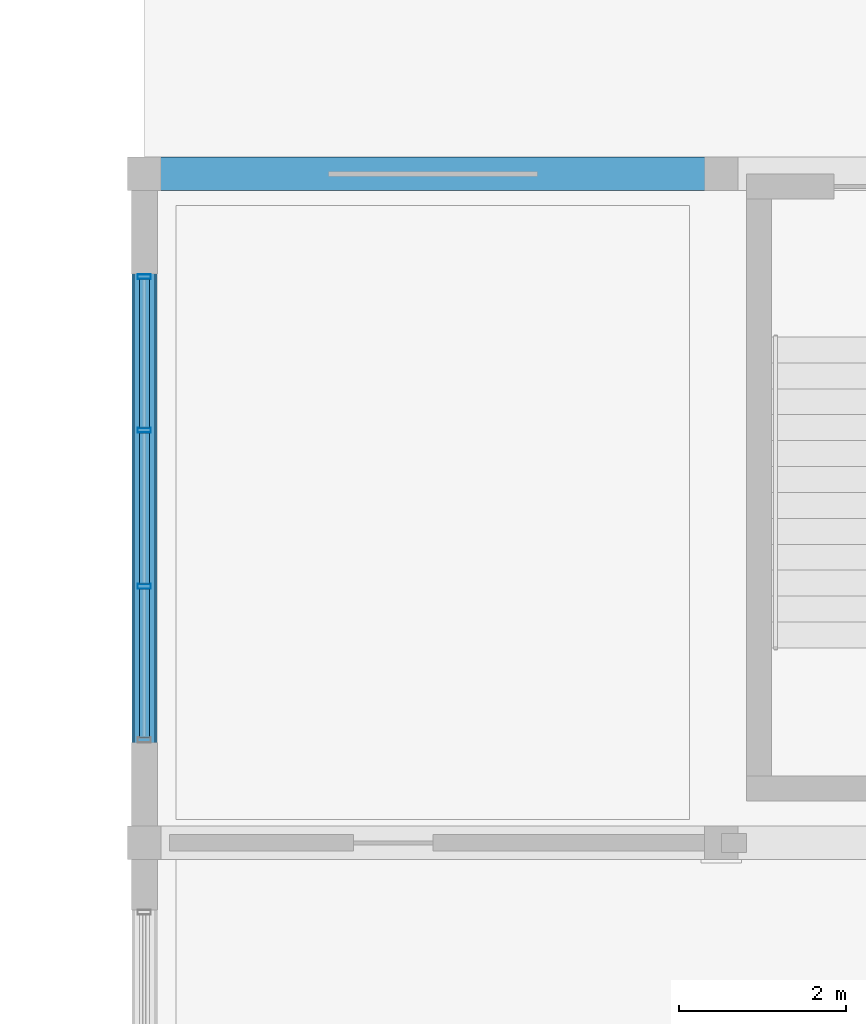
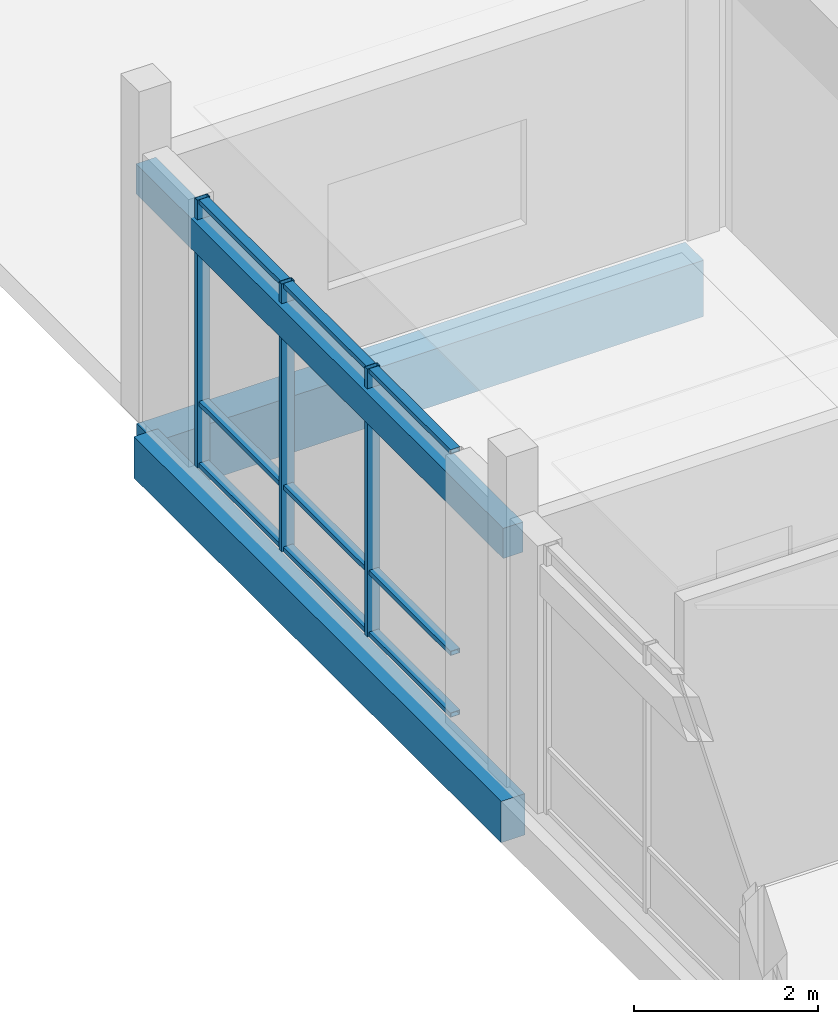
# One storey, part 89 of 233: 12 members, 3 beams, 1 element without a shape of its own.
"""IFC4 building model written with IfcOpenShell, lengths in metres."""

from ifc_helpers import new_model, si_unit, direction, frame, origin, origin_2d, place, context, subcontext, project, spatial, rectangle, hollow_rectangle, extrude, material, material_profile, profile_set, type_object, element, aggregate, save


model = new_model("IFC4")

# Units and contexts
model_context = context("Model", 3, precision=1e-05, world=origin(), true_north=direction((0.0, 1.0)))
body_context = subcontext(model_context, "Body", "Model", "MODEL_VIEW")
ifc_project = project(units=[si_unit("LENGTHUNIT", "METRE"), si_unit("AREAUNIT", "SQUARE_METRE"), si_unit("VOLUMEUNIT", "CUBIC_METRE"), si_unit("PLANEANGLEUNIT", "RADIAN"), si_unit("MASSUNIT", "GRAM", prefix="KILO")], contexts=[model_context])

# Site, building, storey
site_placement = place(None, origin())
site = spatial("IfcSite", under=ifc_project, at=site_placement, CompositionType="ELEMENT")
building_placement = place(site_placement, origin())
building = spatial("IfcBuilding", under=site, at=building_placement, Name="Zavelmont Quarter", CompositionType="ELEMENT")
storey_placement = place(building_placement, origin())
storey = spatial("IfcBuildingStorey", under=building, at=storey_placement, Name="L00", CompositionType="ELEMENT", Elevation=0.0)

# Beams
ifc_material_1 = material(Name="Concrete C35/45", Category="concrete")
ifc_material_profile_1 = material_profile(ifc_material_1, rectangle(XDim=0.300048828125, YDim=0.550048828125, at=origin_2d()), Name="RC300X550")
ifc_profile_set_1 = profile_set([ifc_material_profile_1], Name="Concrete C35/45")
beam_type_1 = type_object("IfcBeamType", Name="BM02", PredefinedType="SPANDREL", material=ifc_profile_set_1)
beam_1_placement = place(storey_placement, frame((0.0, 78.0, -0.594970703125), z_axis=(0.0, 1.0, 0.0), x_axis=(-1.0, 0.0, 0.0)))
element("IfcBeam", 1, at=beam_1_placement, inside=storey, type_object=beam_type_1, Name="L00 beam BM02 1/M to 1/N", PredefinedType="SPANDREL", context=body_context, shape_type="SweptSolid", body=[
    extrude(rectangle(XDim=0.300048828125, YDim=0.550048828125, at=origin_2d()), origin(), (0.0, 0.0, 1.0), 8.0),
])
ifc_material_profile_2 = material_profile(ifc_material_1, rectangle(XDim=0.25, YDim=0.39990234375, at=origin_2d()), Name="RC250X400")
ifc_profile_set_2 = profile_set([ifc_material_profile_2], Name="Concrete C35/45")
beam_type_2 = type_object("IfcBeamType", Name="BM04", PredefinedType="LINTEL", material=ifc_profile_set_2)
beam_2_placement = place(storey_placement, frame((0.0, 78.0, 3.10009765625), z_axis=(0.0, 1.0, 0.0), x_axis=(-1.0, 0.0, 0.0)))
element("IfcBeam", 2, at=beam_2_placement, inside=storey, type_object=beam_type_2, Name="L00 beam BM04 1/M to 1/N", PredefinedType="LINTEL", context=body_context, shape_type="SweptSolid", body=[
    extrude(rectangle(XDim=0.25, YDim=0.39990234375, at=origin_2d()), origin(), (0.0, 0.0, 1.0), 8.0),
])
ifc_material_2 = material(Name="Concrete C40/50", Category="concrete")
ifc_material_profile_3 = material_profile(ifc_material_2, rectangle(XDim=0.39990234375, YDim=0.75, at=origin_2d()), Name="RC400X750")
ifc_profile_set_3 = profile_set([ifc_material_profile_3], Name="Concrete C40/50")
beam_type_3 = type_object("IfcBeamType", Name="BM05", PredefinedType="BEAM", material=ifc_profile_set_3)
beam_3_placement = place(storey_placement, frame((0.0, 86.0, -0.695068359375), z_axis=(1.0, 0.0, 0.0), x_axis=(0.0, 1.0, 0.0)))
element("IfcBeam", 3, at=beam_3_placement, inside=storey, type_object=beam_type_3, Name="L00 beam BM05 1/N to 2/N", PredefinedType="BEAM", context=body_context, shape_type="SweptSolid", body=[
    extrude(rectangle(XDim=0.39990234375, YDim=0.75, at=origin_2d()), origin(), (0.0, 0.0, 1.0), 6.89990234375),
])

# Curtain wall, members
ifc_material_3 = material(Name="Thermally broken aluminium and double low-E safety glazing", Category="aluminium")
curtain_wall_type = type_object("IfcCurtainWallType", Name="CW-560X356", PredefinedType="NOTDEFINED", material=ifc_material_3)
curtain_wall_placement = place(storey_placement, origin())
curtain_wall = element("IfcCurtainWall", 4, at=curtain_wall_placement, inside=storey, type_object=curtain_wall_type, Name="L00 unitised curtain wall CW-560X356", PredefinedType="NOTDEFINED")
ifc_material_4 = material(Name="Powder-coated aluminium EN AW-6063-T6", Category="aluminium")
ifc_material_profile_4 = material_profile(ifc_material_4, hollow_rectangle(XDim=0.06005859375, YDim=0.159912109375, WallThickness=0.00390625, at=origin_2d()), Name="CWM60X160")
ifc_profile_set_4 = profile_set([ifc_material_profile_4], Name="Powder-coated aluminium EN AW-6063-T6")
member_type_1 = type_object("IfcMemberType", Name="CWM01", PredefinedType="MULLION", material=ifc_profile_set_4)
member_1_placement = place(storey_placement, frame((0.0, 81.066650390625, 0.0), z_axis=(0.0, 0.0, 1.0), x_axis=(0.0, 1.0, 0.0)))
member_1 = element("IfcMember", 5, at=member_1_placement, type_object=member_type_1, Name="CW-560X356 mullion 2", PredefinedType="MULLION", context=body_context, shape_type="SweptSolid", body=[
    extrude(hollow_rectangle(XDim=0.06005859375, YDim=0.159912109375, WallThickness=0.00390625, at=origin_2d()), origin(), (0.0, 0.0, 1.0), 3.56005859375),
])
member_2_placement = place(storey_placement, frame((0.0, 82.933349609375, 0.0), z_axis=(0.0, 0.0, 1.0), x_axis=(0.0, 1.0, 0.0)))
member_2 = element("IfcMember", 6, at=member_2_placement, type_object=member_type_1, Name="CW-560X356 mullion 3", PredefinedType="MULLION", context=body_context, shape_type="SweptSolid", body=[
    extrude(hollow_rectangle(XDim=0.06005859375, YDim=0.159912109375, WallThickness=0.00390625, at=origin_2d()), origin(), (0.0, 0.0, 1.0), 3.56005859375),
])
member_3_placement = place(storey_placement, frame((0.0, 84.77001953125, 0.0), z_axis=(0.0, 0.0, 1.0), x_axis=(0.0, 1.0, 0.0)))
member_3 = element("IfcMember", 7, at=member_3_placement, type_object=member_type_1, Name="CW-560X356 mullion 4", PredefinedType="MULLION", context=body_context, shape_type="SweptSolid", body=[
    extrude(hollow_rectangle(XDim=0.06005859375, YDim=0.159912109375, WallThickness=0.00390625, at=origin_2d()), origin(), (0.0, 0.0, 1.0), 3.56005859375),
])
ifc_material_profile_5 = material_profile(ifc_material_4, hollow_rectangle(XDim=0.1201171875, YDim=0.06005859375, WallThickness=0.00390625, at=origin_2d()), Name="CWT60X120")
ifc_profile_set_5 = profile_set([ifc_material_profile_5], Name="Powder-coated aluminium EN AW-6063-T6")
member_type_2 = type_object("IfcMemberType", Name="CWT01", PredefinedType="NOTDEFINED", material=ifc_profile_set_5)
member_4_placement = place(storey_placement, frame((0.0, 79.260009765625, 0.030029296875), z_axis=(0.0, 1.0, 0.0), x_axis=(-1.0, 0.0, 0.0)))
member_4 = element("IfcMember", 8, at=member_4_placement, type_object=member_type_2, Name="CW-560X356 transom 1.1", ObjectType="TRANSOM", PredefinedType="USERDEFINED", context=body_context, shape_type="SweptSolid", body=[
    extrude(hollow_rectangle(XDim=0.1201171875, YDim=0.06005859375, WallThickness=0.00390625, at=origin_2d()), origin(), (0.0, 0.0, 1.0), 1.776611328125),
])
member_5_placement = place(storey_placement, frame((0.0, 79.260009765625, 0.85009765625), z_axis=(0.0, 1.0, 0.0), x_axis=(-1.0, 0.0, 0.0)))
member_5 = element("IfcMember", 9, at=member_5_placement, type_object=member_type_2, Name="CW-560X356 transom 1.2", ObjectType="TRANSOM", PredefinedType="USERDEFINED", context=body_context, shape_type="SweptSolid", body=[
    extrude(hollow_rectangle(XDim=0.1201171875, YDim=0.06005859375, WallThickness=0.00390625, at=origin_2d()), origin(), (0.0, 0.0, 1.0), 1.776611328125),
])
member_6_placement = place(storey_placement, frame((0.0, 79.260009765625, 3.530029296875), z_axis=(0.0, 1.0, 0.0), x_axis=(-1.0, 0.0, 0.0)))
member_6 = element("IfcMember", 10, at=member_6_placement, type_object=member_type_2, Name="CW-560X356 transom 1.3", ObjectType="TRANSOM", PredefinedType="USERDEFINED", context=body_context, shape_type="SweptSolid", body=[
    extrude(hollow_rectangle(XDim=0.1201171875, YDim=0.06005859375, WallThickness=0.00390625, at=origin_2d()), origin(), (0.0, 0.0, 1.0), 1.776611328125),
])
member_7_placement = place(storey_placement, frame((0.0, 81.0966796875, 0.030029296875), z_axis=(0.0, 1.0, 0.0), x_axis=(-1.0, 0.0, 0.0)))
member_7 = element("IfcMember", 11, at=member_7_placement, type_object=member_type_2, Name="CW-560X356 transom 2.1", ObjectType="TRANSOM", PredefinedType="USERDEFINED", context=body_context, shape_type="SweptSolid", body=[
    extrude(hollow_rectangle(XDim=0.1201171875, YDim=0.06005859375, WallThickness=0.00390625, at=origin_2d()), origin(), (0.0, 0.0, 1.0), 1.806640625),
])
member_8_placement = place(storey_placement, frame((0.0, 81.0966796875, 0.85009765625), z_axis=(0.0, 1.0, 0.0), x_axis=(-1.0, 0.0, 0.0)))
member_8 = element("IfcMember", 12, at=member_8_placement, type_object=member_type_2, Name="CW-560X356 transom 2.2", ObjectType="TRANSOM", PredefinedType="USERDEFINED", context=body_context, shape_type="SweptSolid", body=[
    extrude(hollow_rectangle(XDim=0.1201171875, YDim=0.06005859375, WallThickness=0.00390625, at=origin_2d()), origin(), (0.0, 0.0, 1.0), 1.806640625),
])
member_9_placement = place(storey_placement, frame((0.0, 81.0966796875, 3.530029296875), z_axis=(0.0, 1.0, 0.0), x_axis=(-1.0, 0.0, 0.0)))
member_9 = element("IfcMember", 13, at=member_9_placement, type_object=member_type_2, Name="CW-560X356 transom 2.3", ObjectType="TRANSOM", PredefinedType="USERDEFINED", context=body_context, shape_type="SweptSolid", body=[
    extrude(hollow_rectangle(XDim=0.1201171875, YDim=0.06005859375, WallThickness=0.00390625, at=origin_2d()), origin(), (0.0, 0.0, 1.0), 1.806640625),
])
member_10_placement = place(storey_placement, frame((0.0, 82.96337890625, 0.030029296875), z_axis=(0.0, 1.0, 0.0), x_axis=(-1.0, 0.0, 0.0)))
member_10 = element("IfcMember", 14, at=member_10_placement, type_object=member_type_2, Name="CW-560X356 transom 3.1", ObjectType="TRANSOM", PredefinedType="USERDEFINED", context=body_context, shape_type="SweptSolid", body=[
    extrude(hollow_rectangle(XDim=0.1201171875, YDim=0.06005859375, WallThickness=0.00390625, at=origin_2d()), origin(), (0.0, 0.0, 1.0), 1.776611328125),
])
member_11_placement = place(storey_placement, frame((0.0, 82.96337890625, 0.85009765625), z_axis=(0.0, 1.0, 0.0), x_axis=(-1.0, 0.0, 0.0)))
member_11 = element("IfcMember", 15, at=member_11_placement, type_object=member_type_2, Name="CW-560X356 transom 3.2", ObjectType="TRANSOM", PredefinedType="USERDEFINED", context=body_context, shape_type="SweptSolid", body=[
    extrude(hollow_rectangle(XDim=0.1201171875, YDim=0.06005859375, WallThickness=0.00390625, at=origin_2d()), origin(), (0.0, 0.0, 1.0), 1.776611328125),
])
member_12_placement = place(storey_placement, frame((0.0, 82.96337890625, 3.530029296875), z_axis=(0.0, 1.0, 0.0), x_axis=(-1.0, 0.0, 0.0)))
member_12 = element("IfcMember", 16, at=member_12_placement, type_object=member_type_2, Name="CW-560X356 transom 3.3", ObjectType="TRANSOM", PredefinedType="USERDEFINED", context=body_context, shape_type="SweptSolid", body=[
    extrude(hollow_rectangle(XDim=0.1201171875, YDim=0.06005859375, WallThickness=0.00390625, at=origin_2d()), origin(), (0.0, 0.0, 1.0), 1.776611328125),
])
aggregate(curtain_wall, [member_1, member_2, member_3, member_4, member_5, member_6, member_7, member_8, member_9, member_10, member_11, member_12])

save(model, "model.ifc")
